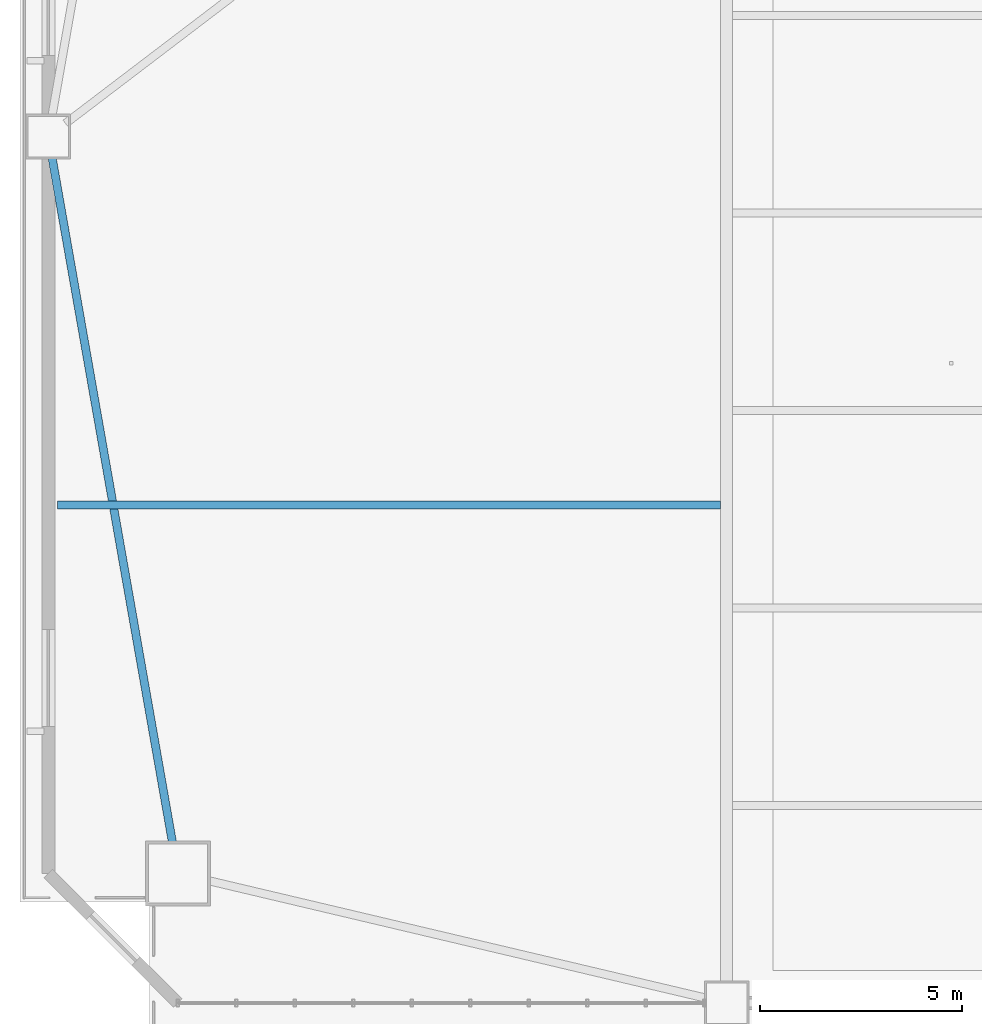
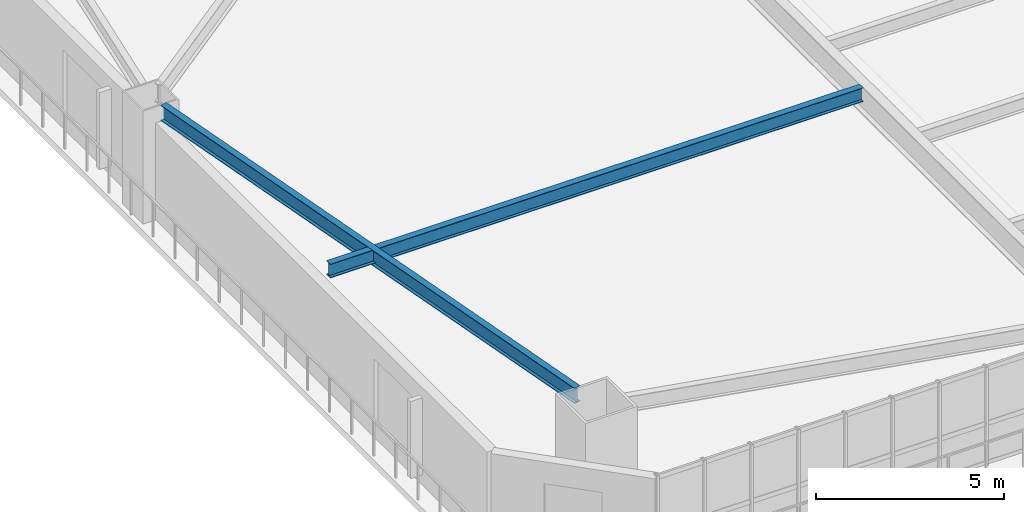
# One storey, part 3 of 17: 2 beams.
"""IFC4 building model written with IfcOpenShell, lengths in metres."""

from ifc_helpers import new_model, si_unit, direction, frame, origin, origin_2d, place, context, subcontext, project, spatial, i_section, extrude, source, transform, mapped, material, material_profile, profile_set, type_object, element, save


model = new_model("IFC4")

# Units and contexts
model_context = context("Model", 3, precision=1e-05, world=origin(), true_north=direction((0.0, 1.0)))
body_context = subcontext(model_context, "Body", "Model", "MODEL_VIEW")
ifc_project = project(units=[si_unit("LENGTHUNIT", "METRE"), si_unit("AREAUNIT", "SQUARE_METRE"), si_unit("VOLUMEUNIT", "CUBIC_METRE"), si_unit("PLANEANGLEUNIT", "RADIAN"), si_unit("MASSUNIT", "GRAM", prefix="KILO")], contexts=[model_context])

# Site, building, storey
site_placement = place(None, origin())
site = spatial("IfcSite", under=ifc_project, at=site_placement, CompositionType="ELEMENT")
building_placement = place(site_placement, origin())
building = spatial("IfcBuilding", under=site, at=building_placement, Name="Giltprow Tower", CompositionType="ELEMENT")
storey_placement = place(building_placement, frame((0.0, 0.0, 29.300048828125)))
storey = spatial("IfcBuildingStorey", under=building, at=storey_placement, Name="L07", CompositionType="ELEMENT", Elevation=29.300048828125)

# Beams
ifc_material = material(Name="Structural steel Q355B", Category="steel")
ifc_material_profile_1 = material_profile(ifc_material, i_section(OverallWidth=0.199951171875, OverallDepth=0.5, WebThickness=0.010009765625, FlangeThickness=0.01611328125, at=origin_2d()), Name="HN 500x200x10x16")
ifc_profile_set_1 = profile_set([ifc_material_profile_1], Name="Structural steel Q355B")
beam_type_1 = type_object("IfcBeamType", Name="BM-SPAN-HN500", PredefinedType="SPANDREL", material=ifc_profile_set_1)
shared_shape_1 = source(origin(), body_context, "Body", "SweptSolid", [
    extrude(i_section(OverallWidth=0.199951171875, OverallDepth=0.5, WebThickness=0.010009765625, FlangeThickness=0.01611328125, at=origin_2d()), origin(), (0.0, 0.0, 1.0), 17.1591796875),
])
beam_1_placement = place(storey_placement, frame((3.193115234375, 24.173095703125, 3.429931640625), z_axis=(0.173139216532, -0.984897360997, 0.0), x_axis=(0.984897360997, 0.173139216532, 0.0)))
element("IfcBeam", 1, at=beam_1_placement, inside=storey, type_object=beam_type_1, Name="L07 Perimeter Spandrel Beam W_MID-MC_SW", PredefinedType="SPANDREL", context=body_context, shape_type="MappedRepresentation", body=[
    mapped(shared_shape_1, transform((0.0, 0.0, 0.0), x_axis=(1.0, 0.0, 0.0), y_axis=(0.0, 1.0, 0.0), z_axis=(0.0, 0.0, 1.0), scale=1.0)),
])
ifc_material_profile_2 = material_profile(ifc_material, i_section(OverallWidth=0.199951171875, OverallDepth=0.449951171875, WebThickness=0.009033203125, FlangeThickness=0.013916015625, at=origin_2d()), Name="HN 450x200x9x14")
ifc_profile_set_2 = profile_set([ifc_material_profile_2], Name="Structural steel Q355B")
beam_type_2 = type_object("IfcBeamType", Name="BM-JOIST-HN450", PredefinedType="JOIST", material=ifc_profile_set_2)
shared_shape_2 = source(origin(), body_context, "Body", "SweptSolid", [
    extrude(i_section(OverallWidth=0.199951171875, OverallDepth=0.449951171875, WebThickness=0.009033203125, FlangeThickness=0.013916015625, at=origin_2d()), origin(), (0.0, 0.0, 1.0), 16.385009765625),
])
beam_2_placement = place(storey_placement, frame((3.320068359375, 15.60009765625, 3.454833984375), z_axis=(1.0, 0.0, 0.0), x_axis=(0.0, 1.0, 0.0)))
element("IfcBeam", 2, at=beam_2_placement, inside=storey, type_object=beam_type_2, Name="L07 West Wing Floor Joist 1", PredefinedType="JOIST", context=body_context, shape_type="MappedRepresentation", body=[
    mapped(shared_shape_2, transform((0.0, 0.0, 0.0), x_axis=(1.0, 0.0, 0.0), y_axis=(0.0, 1.0, 0.0), z_axis=(0.0, 0.0, 1.0), scale=1.0)),
])

save(model, "model.ifc")
